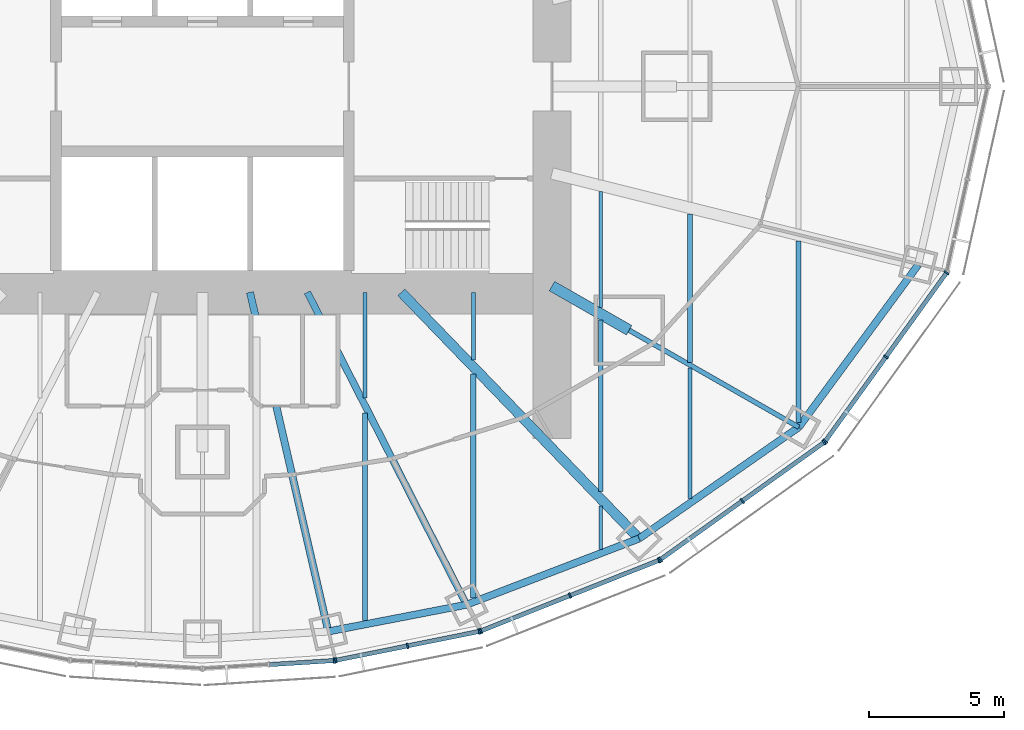
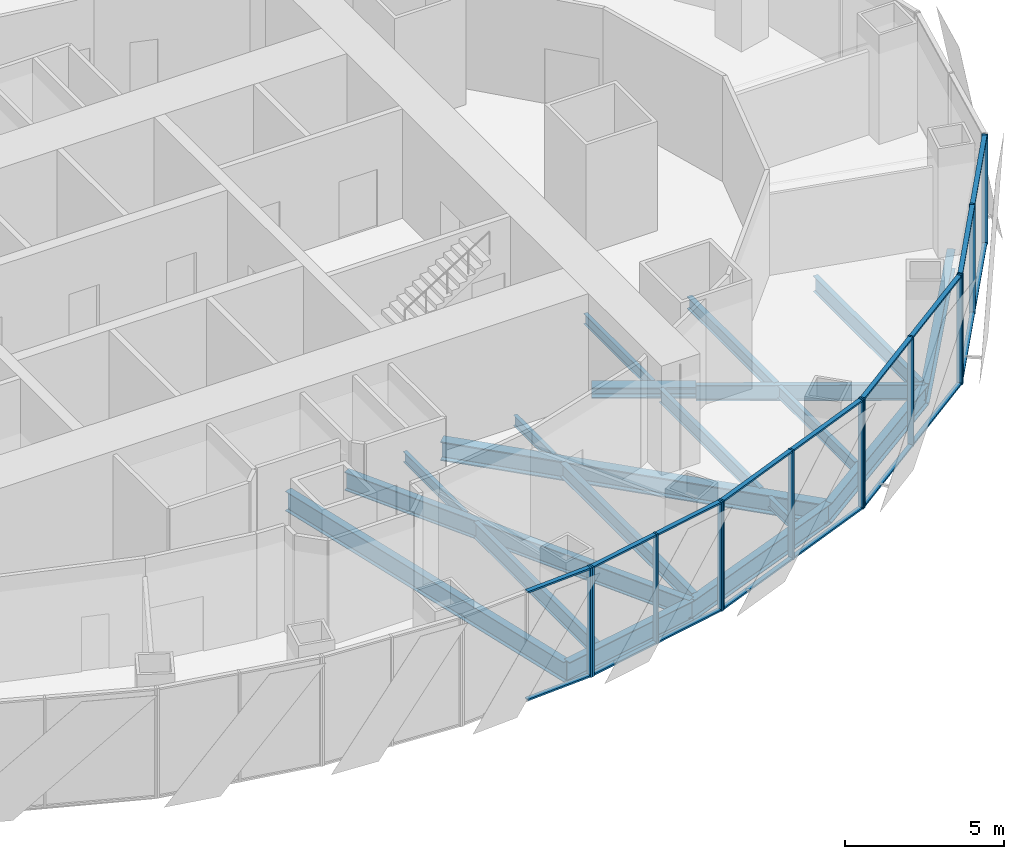
# One storey, part 5 of 18: 31 members, 19 beams, 5 elements without a shape of their own.
"""IFC4 building model written with IfcOpenShell, lengths in metres."""

from ifc_helpers import new_model, si_unit, direction, frame, origin, origin_2d, place, context, subcontext, project, spatial, rectangle, i_section, extrude, material, material_profile, profile_set, type_object, element, aggregate, save


model = new_model("IFC4")

# Units and contexts
model_context = context("Model", 3, precision=1e-05, world=origin(), true_north=direction((0.0, 1.0)))
body_context = subcontext(model_context, "Body", "Model", "MODEL_VIEW")
ifc_project = project(units=[si_unit("LENGTHUNIT", "METRE"), si_unit("AREAUNIT", "SQUARE_METRE"), si_unit("VOLUMEUNIT", "CUBIC_METRE"), si_unit("PLANEANGLEUNIT", "RADIAN"), si_unit("MASSUNIT", "GRAM", prefix="KILO")], contexts=[model_context])

# Site, building, storey
site_placement = place(None, origin())
site = spatial("IfcSite", under=ifc_project, at=site_placement, CompositionType="ELEMENT")
building_placement = place(site_placement, origin())
building = spatial("IfcBuilding", under=site, at=building_placement, Name="Lantaw Convention Tower", CompositionType="ELEMENT")
storey_placement = place(building_placement, frame((0.0, 0.0, 167.800048828125)))
storey = spatial("IfcBuildingStorey", under=building, at=storey_placement, Name="L39", CompositionType="ELEMENT", Elevation=167.800048828125)

# Beams
ifc_material_1 = material(Name="Steel ASTM A992", Category="steel")
ifc_material_profile_1 = material_profile(ifc_material_1, i_section(OverallWidth=0.2666015625, OverallDepth=0.76953125, WebThickness=0.015625, FlangeThickness=0.025390625, FilletRadius=0.0126953125, at=origin_2d()), Name="W30X132")
ifc_profile_set_1 = profile_set([ifc_material_profile_1], Name="Steel ASTM A992")
beam_type_1 = type_object("IfcBeamType", Name="Beam E W30X132", PredefinedType="SPANDREL", material=ifc_profile_set_1)
beam_1_placement = place(storey_placement, frame((4.64501953125, -20.1201171875, -0.534912109375), z_axis=(0.981796805654, 0.189934284446, 0.0), x_axis=(-0.189934284446, 0.981796805654, 0.0)))
element("IfcBeam", 1, at=beam_1_placement, inside=storey, type_object=beam_type_1, Name="Edge beam 20", PredefinedType="SPANDREL", context=body_context, shape_type="SweptSolid", body=[
    extrude(i_section(OverallWidth=0.2666015625, OverallDepth=0.76953125, WebThickness=0.015625, FlangeThickness=0.025390625, FilletRadius=0.0126953125, at=origin_2d()), origin(), (0.0, 0.0, 1.0), 5.1982421875),
])
beam_2_placement = place(storey_placement, frame((9.74853515625, -19.1328125, -0.534912109375), z_axis=(0.933691081977, 0.358079549033, 0.0), x_axis=(-0.358079549033, 0.933691081977, 0.0)))
element("IfcBeam", 2, at=beam_2_placement, inside=storey, type_object=beam_type_1, Name="Edge beam 21", PredefinedType="SPANDREL", context=body_context, shape_type="SweptSolid", body=[
    extrude(i_section(OverallWidth=0.2666015625, OverallDepth=0.76953125, WebThickness=0.015625, FlangeThickness=0.025390625, FilletRadius=0.0126953125, at=origin_2d()), origin(), (0.0, 0.0, 1.0), 6.821533203125),
])
beam_3_placement = place(storey_placement, frame((16.11767578125, -16.690185546875, -0.534912109375), z_axis=(0.820310765287, 0.57191804339, 0.0), x_axis=(-0.57191804339, 0.820310765287, 0.0)))
element("IfcBeam", 3, at=beam_3_placement, inside=storey, type_object=beam_type_1, Name="Edge beam 22", PredefinedType="SPANDREL", context=body_context, shape_type="SweptSolid", body=[
    extrude(i_section(OverallWidth=0.2666015625, OverallDepth=0.76953125, WebThickness=0.015625, FlangeThickness=0.025390625, FilletRadius=0.0126953125, at=origin_2d()), origin(), (0.0, 0.0, 1.0), 7.187744140625),
])
beam_4_placement = place(storey_placement, frame((22.013916015625, -12.579345703125, -0.534912109375), z_axis=(0.5923891972, 0.805651934176, 0.0), x_axis=(-0.805651934176, 0.5923891972, 0.0)))
element("IfcBeam", 4, at=beam_4_placement, inside=storey, type_object=beam_type_1, Name="Edge beam 23", PredefinedType="SPANDREL", context=body_context, shape_type="SweptSolid", body=[
    extrude(i_section(OverallWidth=0.2666015625, OverallDepth=0.76953125, WebThickness=0.015625, FlangeThickness=0.025390625, FilletRadius=0.0126953125, at=origin_2d()), origin(), (0.0, 0.0, 1.0), 7.437744140625),
])
ifc_material_profile_2 = material_profile(ifc_material_1, i_section(OverallWidth=0.177978515625, OverallDepth=0.599365234375, WebThickness=0.010009765625, FlangeThickness=0.012939453125, FilletRadius=0.012939453125, at=origin_2d()), Name="W24X55")
ifc_profile_set_2 = profile_set([ifc_material_profile_2], Name="Steel ASTM A992")
beam_type_2 = type_object("IfcBeamType", Name="Beam G W24X55", PredefinedType="BEAM", material=ifc_profile_set_2)
beam_5_placement = place(storey_placement, frame((15.75, -9.0, -0.44970703125), z_axis=(0.868245224608, -0.496135293993, 0.0), x_axis=(0.496135293993, 0.868245224608, 0.0)))
element("IfcBeam", 5, at=beam_5_placement, inside=storey, type_object=beam_type_2, Name="Floor girder on ray 23", PredefinedType="BEAM", context=body_context, shape_type="SweptSolid", body=[
    extrude(i_section(OverallWidth=0.177978515625, OverallDepth=0.599365234375, WebThickness=0.010009765625, FlangeThickness=0.012939453125, FilletRadius=0.012939453125, at=origin_2d()), origin(), (0.0, 0.0, 1.0), 7.21435546875),
])
ifc_material_profile_3 = material_profile(ifc_material_1, i_section(OverallWidth=0.25390625, OverallDepth=0.700927734375, WebThickness=0.015380859375, FlangeThickness=0.02783203125, FilletRadius=0.01513671875, at=origin_2d()), Name="W27X129")
ifc_profile_set_3 = profile_set([ifc_material_profile_3], Name="Steel ASTM A992")
beam_type_3 = type_object("IfcBeamType", Name="Beam G W27X129", PredefinedType="BEAM", material=ifc_profile_set_3)
beam_6_placement = place(storey_placement, frame((3.872314453125, -7.60009765625, -0.50048828125), z_axis=(0.453991051051, -0.891006243281, 0.0), x_axis=(0.891006243281, 0.453991051051, 0.0)))
element("IfcBeam", 6, at=beam_6_placement, inside=storey, type_object=beam_type_3, Name="Floor girder on ray 21", PredefinedType="BEAM", context=body_context, shape_type="SweptSolid", body=[
    extrude(i_section(OverallWidth=0.25390625, OverallDepth=0.700927734375, WebThickness=0.015380859375, FlangeThickness=0.02783203125, FilletRadius=0.01513671875, at=origin_2d()), origin(), (0.0, 0.0, 1.0), 12.943359375),
])
ifc_material_profile_4 = material_profile(ifc_material_1, i_section(OverallWidth=0.360595703125, OverallDepth=0.72900390625, WebThickness=0.023193359375, FlangeThickness=0.041015625, FilletRadius=0.0126953125, at=origin_2d()), Name="W27X235")
ifc_profile_set_4 = profile_set([ifc_material_profile_4], Name="Steel ASTM A992")
beam_type_4 = type_object("IfcBeamType", Name="Beam G W27X235", PredefinedType="BEAM", material=ifc_profile_set_4)
beam_7_placement = place(storey_placement, frame((7.33935546875, -7.60009765625, -0.5146484375), z_axis=(0.694663467407, -0.719334878239, 0.0), x_axis=(0.719334878239, 0.694663467407, 0.0)))
element("IfcBeam", 7, at=beam_7_placement, inside=storey, type_object=beam_type_4, Name="Floor girder on ray 22", PredefinedType="BEAM", context=body_context, shape_type="SweptSolid", body=[
    extrude(i_section(OverallWidth=0.360595703125, OverallDepth=0.72900390625, WebThickness=0.023193359375, FlangeThickness=0.041015625, FilletRadius=0.0126953125, at=origin_2d()), origin(), (0.0, 0.0, 1.0), 12.63671875),
])
ifc_material_profile_5 = material_profile(ifc_material_1, i_section(OverallWidth=0.2666015625, OverallDepth=0.7568359375, WebThickness=0.013916015625, FlangeThickness=0.019287109375, FilletRadius=0.0126953125, at=origin_2d()), Name="W30X108")
ifc_profile_set_5 = profile_set([ifc_material_profile_5], Name="Steel ASTM A992")
beam_type_5 = type_object("IfcBeamType", Name="Beam G W30X108", PredefinedType="BEAM", material=ifc_profile_set_5)
beam_8_placement = place(storey_placement, frame((1.754638671875, -7.60009765625, -0.528564453125), z_axis=(0.224944153104, -0.974371658036, 0.0), x_axis=(0.974371658036, 0.224944153104, 0.0)))
element("IfcBeam", 8, at=beam_8_placement, inside=storey, type_object=beam_type_5, Name="Floor girder on ray 20", PredefinedType="BEAM", context=body_context, shape_type="SweptSolid", body=[
    extrude(i_section(OverallWidth=0.2666015625, OverallDepth=0.7568359375, WebThickness=0.013916015625, FlangeThickness=0.019287109375, FilletRadius=0.0126953125, at=origin_2d()), origin(), (0.0, 0.0, 1.0), 12.849365234375),
])
ifc_material_profile_6 = material_profile(ifc_material_1, i_section(OverallWidth=0.40380859375, OverallDepth=0.406494140625, WebThickness=0.027099609375, FlangeThickness=0.043701171875, FilletRadius=0.01513671875, at=origin_2d()), Name="W14X233")
ifc_profile_set_6 = profile_set([ifc_material_profile_6], Name="Steel ASTM A992")
beam_type_6 = type_object("IfcBeamType", Name="Beam GM W14X233", PredefinedType="BEAM", material=ifc_profile_set_6)
beam_9_placement = place(storey_placement, frame((12.89990234375, -7.371337890625, -0.353271484375), z_axis=(0.868238565244, -0.496146947811, 0.0), x_axis=(0.496146947811, 0.868238565244, 0.0)))
element("IfcBeam", 9, at=beam_9_placement, inside=storey, type_object=beam_type_6, Name="Core link beam on ray 23", PredefinedType="BEAM", context=body_context, shape_type="SweptSolid", body=[
    extrude(i_section(OverallWidth=0.40380859375, OverallDepth=0.406494140625, WebThickness=0.027099609375, FlangeThickness=0.043701171875, FilletRadius=0.01513671875, at=origin_2d()), origin(), (0.0, 0.0, 1.0), 3.28271484375),
])
ifc_material_profile_7 = material_profile(ifc_material_1, i_section(OverallWidth=0.140380859375, OverallDepth=0.40380859375, WebThickness=0.007080078125, FlangeThickness=0.01123046875, FilletRadius=0.01025390625, at=origin_2d()), Name="W16X31")
ifc_profile_set_7 = profile_set([ifc_material_profile_7], Name="Steel ASTM A992")
beam_type_7 = type_object("IfcBeamType", Name="Beam J W16X31", PredefinedType="JOIST", material=ifc_profile_set_7)
beam_10_placement = place(storey_placement, frame((6.0, -11.495849609375, -0.35205078125), z_axis=(0.0, 1.0, 0.0), x_axis=(-1.0, 0.0, 0.0)))
element("IfcBeam", 10, at=beam_10_placement, inside=storey, type_object=beam_type_7, Name="Floor joist", PredefinedType="JOIST", context=body_context, shape_type="SweptSolid", body=[
    extrude(i_section(OverallWidth=0.140380859375, OverallDepth=0.40380859375, WebThickness=0.007080078125, FlangeThickness=0.01123046875, FilletRadius=0.01025390625, at=origin_2d()), origin(), (0.0, 0.0, 1.0), 3.895751953125),
])
beam_11_placement = place(storey_placement, frame((10.0, -10.095703125, -0.35205078125), z_axis=(0.0, 1.0, 0.0), x_axis=(-1.0, 0.0, 0.0)))
element("IfcBeam", 11, at=beam_11_placement, inside=storey, type_object=beam_type_7, Name="Floor joist", PredefinedType="JOIST", context=body_context, shape_type="SweptSolid", body=[
    extrude(i_section(OverallWidth=0.140380859375, OverallDepth=0.40380859375, WebThickness=0.007080078125, FlangeThickness=0.01123046875, FilletRadius=0.01025390625, at=origin_2d()), origin(), (0.0, 0.0, 1.0), 2.49560546875),
])
beam_12_placement = place(storey_placement, frame((14.699951171875, -17.091064453125, -0.35205078125), z_axis=(0.0, 1.0, 0.0), x_axis=(-1.0, 0.0, 0.0)))
element("IfcBeam", 12, at=beam_12_placement, inside=storey, type_object=beam_type_7, Name="Floor joist", PredefinedType="JOIST", context=body_context, shape_type="SweptSolid", body=[
    extrude(i_section(OverallWidth=0.140380859375, OverallDepth=0.40380859375, WebThickness=0.007080078125, FlangeThickness=0.01123046875, FilletRadius=0.01025390625, at=origin_2d()), origin(), (0.0, 0.0, 1.0), 1.609130859375),
])
beam_13_placement = place(storey_placement, frame((14.699951171875, -8.16748046875, -0.35205078125), z_axis=(0.0, 1.0, 0.0), x_axis=(-1.0, 0.0, 0.0)))
element("IfcBeam", 13, at=beam_13_placement, inside=storey, type_object=beam_type_7, Name="Floor joist", PredefinedType="JOIST", context=body_context, shape_type="SweptSolid", body=[
    extrude(i_section(OverallWidth=0.140380859375, OverallDepth=0.40380859375, WebThickness=0.007080078125, FlangeThickness=0.01123046875, FilletRadius=0.01025390625, at=origin_2d()), origin(), (0.0, 0.0, 1.0), 4.28515625),
])
ifc_material_profile_8 = material_profile(ifc_material_1, i_section(OverallWidth=0.15234375, OverallDepth=0.449462890625, WebThickness=0.007568359375, FlangeThickness=0.0107421875, FilletRadius=0.01025390625, at=origin_2d()), Name="W18X35")
ifc_profile_set_8 = profile_set([ifc_material_profile_8], Name="Steel ASTM A992")
beam_type_8 = type_object("IfcBeamType", Name="Beam J W18X35", PredefinedType="JOIST", material=ifc_profile_set_8)
beam_14_placement = place(storey_placement, frame((18.0, -15.21533203125, -0.374755859375), z_axis=(0.0, 1.0, 0.0), x_axis=(-1.0, 0.0, 0.0)))
element("IfcBeam", 14, at=beam_14_placement, inside=storey, type_object=beam_type_8, Name="Floor joist", PredefinedType="JOIST", context=body_context, shape_type="SweptSolid", body=[
    extrude(i_section(OverallWidth=0.15234375, OverallDepth=0.449462890625, WebThickness=0.007568359375, FlangeThickness=0.0107421875, FilletRadius=0.01025390625, at=origin_2d()), origin(), (0.0, 0.0, 1.0), 4.8271484375),
])
ifc_material_profile_9 = material_profile(ifc_material_1, i_section(OverallWidth=0.1904296875, OverallDepth=0.457275390625, WebThickness=0.009033203125, FlangeThickness=0.014404296875, FilletRadius=0.01025390625, at=origin_2d()), Name="W18X50")
ifc_profile_set_9 = profile_set([ifc_material_profile_9], Name="Steel ASTM A992")
beam_type_9 = type_object("IfcBeamType", Name="Beam J W18X50", PredefinedType="JOIST", material=ifc_profile_set_9)
beam_15_placement = place(storey_placement, frame((18.0, -10.18310546875, -0.378662109375), z_axis=(0.0, 1.0, 0.0), x_axis=(-1.0, 0.0, 0.0)))
element("IfcBeam", 15, at=beam_15_placement, inside=storey, type_object=beam_type_9, Name="Floor joist", PredefinedType="JOIST", context=body_context, shape_type="SweptSolid", body=[
    extrude(i_section(OverallWidth=0.1904296875, OverallDepth=0.457275390625, WebThickness=0.009033203125, FlangeThickness=0.014404296875, FilletRadius=0.01025390625, at=origin_2d()), origin(), (0.0, 0.0, 1.0), 5.47802734375),
])
ifc_material_profile_10 = material_profile(ifc_material_1, i_section(OverallWidth=0.1650390625, OverallDepth=0.52587890625, WebThickness=0.0087890625, FlangeThickness=0.011474609375, FilletRadius=0.0126953125, at=origin_2d()), Name="W21X44")
ifc_profile_set_10 = profile_set([ifc_material_profile_10], Name="Steel ASTM A992")
beam_type_10 = type_object("IfcBeamType", Name="Beam J W21X44", PredefinedType="JOIST", material=ifc_profile_set_10)
beam_16_placement = place(storey_placement, frame((14.699951171875, -14.962646484375, -0.412841796875), z_axis=(0.0, 1.0, 0.0), x_axis=(-1.0, 0.0, 0.0)))
element("IfcBeam", 16, at=beam_16_placement, inside=storey, type_object=beam_type_10, Name="Floor joist", PredefinedType="JOIST", context=body_context, shape_type="SweptSolid", body=[
    extrude(i_section(OverallWidth=0.1650390625, OverallDepth=0.52587890625, WebThickness=0.0087890625, FlangeThickness=0.011474609375, FilletRadius=0.0126953125, at=origin_2d()), origin(), (0.0, 0.0, 1.0), 6.330078125),
])
ifc_material_profile_11 = material_profile(ifc_material_1, i_section(OverallWidth=0.2099609375, OverallDepth=0.535888671875, WebThickness=0.010986328125, FlangeThickness=0.017333984375, FilletRadius=0.012939453125, at=origin_2d()), Name="W21X68")
ifc_profile_set_11 = profile_set([ifc_material_profile_11], Name="Steel ASTM A992")
beam_type_11 = type_object("IfcBeamType", Name="Beam J W21X68", PredefinedType="JOIST", material=ifc_profile_set_11)
beam_17_placement = place(storey_placement, frame((10.0, -18.8935546875, -0.41796875), z_axis=(0.0, 1.0, 0.0), x_axis=(-1.0, 0.0, 0.0)))
element("IfcBeam", 17, at=beam_17_placement, inside=storey, type_object=beam_type_11, Name="Floor joist", PredefinedType="JOIST", context=body_context, shape_type="SweptSolid", body=[
    extrude(i_section(OverallWidth=0.2099609375, OverallDepth=0.535888671875, WebThickness=0.010986328125, FlangeThickness=0.017333984375, FilletRadius=0.012939453125, at=origin_2d()), origin(), (0.0, 0.0, 1.0), 8.278564453125),
])
ifc_material_profile_12 = material_profile(ifc_material_1, i_section(OverallWidth=0.177978515625, OverallDepth=0.599365234375, WebThickness=0.010009765625, FlangeThickness=0.012939453125, FilletRadius=0.012939453125, at=origin_2d()), Name="W24X55")
ifc_profile_set_12 = profile_set([ifc_material_profile_12], Name="Steel ASTM A992")
beam_type_12 = type_object("IfcBeamType", Name="Beam J W24X55", PredefinedType="JOIST", material=ifc_profile_set_12)
beam_18_placement = place(storey_placement, frame((6.0, -19.72216796875, -0.44970703125), z_axis=(0.0, 1.0, 0.0), x_axis=(-1.0, 0.0, 0.0)))
element("IfcBeam", 18, at=beam_18_placement, inside=storey, type_object=beam_type_12, Name="Floor joist", PredefinedType="JOIST", context=body_context, shape_type="SweptSolid", body=[
    extrude(i_section(OverallWidth=0.177978515625, OverallDepth=0.599365234375, WebThickness=0.010009765625, FlangeThickness=0.012939453125, FilletRadius=0.012939453125, at=origin_2d()), origin(), (0.0, 0.0, 1.0), 7.666748046875),
])
beam_19_placement = place(storey_placement, frame((22.0, -12.408935546875, -0.44970703125), z_axis=(0.0, 1.0, 0.0), x_axis=(-1.0, 0.0, 0.0)))
element("IfcBeam", 19, at=beam_19_placement, inside=storey, type_object=beam_type_12, Name="Floor joist", PredefinedType="JOIST", context=body_context, shape_type="SweptSolid", body=[
    extrude(i_section(OverallWidth=0.177978515625, OverallDepth=0.599365234375, WebThickness=0.010009765625, FlangeThickness=0.012939453125, FilletRadius=0.012939453125, at=origin_2d()), origin(), (0.0, 0.0, 1.0), 6.70654296875),
])

# Curtain wall, member
ifc_material_2 = material(Name="Aluminium framed curtain wall", Category="aluminium")
curtain_wall_type = type_object("IfcCurtainWallType", Name="Office curtain wall low rise, pale aluminium", PredefinedType="USERDEFINED", material=ifc_material_2)
curtain_wall_1_placement = place(storey_placement, origin())
curtain_wall_1 = element("IfcCurtainWall", 20, at=curtain_wall_1_placement, inside=storey, type_object=curtain_wall_type, Name="Office curtain wall low rise, pale aluminium L39", ObjectType="UNITISED CURTAIN WALL", PredefinedType="USERDEFINED")
ifc_material_3 = material(Name="Aluminium 6063-T6", Category="aluminium")
ifc_material_profile_13 = material_profile(ifc_material_3, rectangle(XDim=0.199951171875, YDim=0.06494140625, at=origin_2d()), Name="CW-O1 mullion 65x200")
ifc_profile_set_13 = profile_set([ifc_material_profile_13], Name="Aluminium 6063-T6")
member_type_1 = type_object("IfcMemberType", Name="CW-O1 mullion 65x200", PredefinedType="MULLION", material=ifc_profile_set_13)
member_1_placement = place(storey_placement, frame((4.860107421875, -21.19384765625, -0.150146484375), z_axis=(0.0, 0.0, 1.0), x_axis=(-0.062865059466, 0.998022035978, 0.0)))
member_1 = element("IfcMember", 21, at=member_1_placement, type_object=member_type_1, Name="CW-O1 mullion 3", PredefinedType="MULLION", context=body_context, shape_type="SweptSolid", body=[
    extrude(rectangle(XDim=0.199951171875, YDim=0.06494140625, at=origin_2d()), origin(), (0.0, 0.0, 1.0), 4.2001953125),
])

# Curtain wall, members
curtain_wall_2_placement = place(storey_placement, origin())
curtain_wall_2 = element("IfcCurtainWall", 22, at=curtain_wall_2_placement, inside=storey, type_object=curtain_wall_type, Name="Office curtain wall low rise, pale aluminium L39", ObjectType="UNITISED CURTAIN WALL", PredefinedType="USERDEFINED")
member_2_placement = place(storey_placement, frame((4.92431640625, -21.185302734375, -0.150146484375), z_axis=(0.0, 0.0, 1.0), x_axis=(-0.197506809659, 0.980301514912, 0.0)))
member_2 = element("IfcMember", 23, at=member_2_placement, type_object=member_type_1, Name="CW-O1 mullion 1", PredefinedType="MULLION", context=body_context, shape_type="SweptSolid", body=[
    extrude(rectangle(XDim=0.199951171875, YDim=0.06494140625, at=origin_2d()), origin(), (0.0, 0.0, 1.0), 4.2001953125),
])
member_3_placement = place(storey_placement, frame((7.5703125, -20.65234375, -0.150146484375), z_axis=(0.0, 0.0, 1.0), x_axis=(-0.197506809659, 0.980301514912, 0.0)))
member_3 = element("IfcMember", 24, at=member_3_placement, type_object=member_type_1, Name="CW-O1 mullion 2", PredefinedType="MULLION", context=body_context, shape_type="SweptSolid", body=[
    extrude(rectangle(XDim=0.199951171875, YDim=0.06494140625, at=origin_2d()), origin(), (0.0, 0.0, 1.0), 4.2001953125),
])
member_4_placement = place(storey_placement, frame((10.216064453125, -20.119140625, -0.150146484375), z_axis=(0.0, 0.0, 1.0), x_axis=(-0.197506809659, 0.980301514912, 0.0)))
member_4 = element("IfcMember", 25, at=member_4_placement, type_object=member_type_1, Name="CW-O1 mullion 3", PredefinedType="MULLION", context=body_context, shape_type="SweptSolid", body=[
    extrude(rectangle(XDim=0.199951171875, YDim=0.06494140625, at=origin_2d()), origin(), (0.0, 0.0, 1.0), 4.2001953125),
])

curtain_wall_3_placement = place(storey_placement, origin())
curtain_wall_3 = element("IfcCurtainWall", 26, at=curtain_wall_3_placement, inside=storey, type_object=curtain_wall_type, Name="Office curtain wall low rise, pale aluminium L39", ObjectType="UNITISED CURTAIN WALL", PredefinedType="USERDEFINED")
member_5_placement = place(storey_placement, frame((10.2783203125, -20.100830078125, -0.150146484375), z_axis=(0.0, 0.0, 1.0), x_axis=(-0.368701907483, 0.929547687544, 0.0)))
member_5 = element("IfcMember", 27, at=member_5_placement, type_object=member_type_1, Name="CW-O1 mullion 1", PredefinedType="MULLION", context=body_context, shape_type="SweptSolid", body=[
    extrude(rectangle(XDim=0.199951171875, YDim=0.06494140625, at=origin_2d()), origin(), (0.0, 0.0, 1.0), 4.2001953125),
])
member_6_placement = place(storey_placement, frame((13.56494140625, -18.797119140625, -0.150146484375), z_axis=(0.0, 0.0, 1.0), x_axis=(-0.368701907483, 0.929547687544, 0.0)))
member_6 = element("IfcMember", 28, at=member_6_placement, type_object=member_type_1, Name="CW-O1 mullion 2", PredefinedType="MULLION", context=body_context, shape_type="SweptSolid", body=[
    extrude(rectangle(XDim=0.199951171875, YDim=0.06494140625, at=origin_2d()), origin(), (0.0, 0.0, 1.0), 4.2001953125),
])
member_7_placement = place(storey_placement, frame((16.8515625, -17.49365234375, -0.150146484375), z_axis=(0.0, 0.0, 1.0), x_axis=(-0.368701907483, 0.929547687544, 0.0)))
member_7 = element("IfcMember", 29, at=member_7_placement, type_object=member_type_1, Name="CW-O1 mullion 3", PredefinedType="MULLION", context=body_context, shape_type="SweptSolid", body=[
    extrude(rectangle(XDim=0.199951171875, YDim=0.06494140625, at=origin_2d()), origin(), (0.0, 0.0, 1.0), 4.2001953125),
])

curtain_wall_4_placement = place(storey_placement, origin())
curtain_wall_4 = element("IfcCurtainWall", 30, at=curtain_wall_4_placement, inside=storey, type_object=curtain_wall_type, Name="Office curtain wall low rise, pale aluminium L39", ObjectType="UNITISED CURTAIN WALL", PredefinedType="USERDEFINED")
member_8_placement = place(storey_placement, frame((16.908203125, -17.462646484375, -0.150146484375), z_axis=(0.0, 0.0, 1.0), x_axis=(-0.581972695693, 0.813208325995, 0.0)))
member_8 = element("IfcMember", 31, at=member_8_placement, type_object=member_type_1, Name="CW-O1 mullion 1", PredefinedType="MULLION", context=body_context, shape_type="SweptSolid", body=[
    extrude(rectangle(XDim=0.199951171875, YDim=0.06494140625, at=origin_2d()), origin(), (0.0, 0.0, 1.0), 4.2001953125),
])
member_9_placement = place(storey_placement, frame((19.92529296875, -15.303466796875, -0.150146484375), z_axis=(0.0, 0.0, 1.0), x_axis=(-0.581972695693, 0.813208325995, 0.0)))
member_9 = element("IfcMember", 32, at=member_9_placement, type_object=member_type_1, Name="CW-O1 mullion 2", PredefinedType="MULLION", context=body_context, shape_type="SweptSolid", body=[
    extrude(rectangle(XDim=0.199951171875, YDim=0.06494140625, at=origin_2d()), origin(), (0.0, 0.0, 1.0), 4.2001953125),
])
member_10_placement = place(storey_placement, frame((22.942626953125, -13.14404296875, -0.150146484375), z_axis=(0.0, 0.0, 1.0), x_axis=(-0.581972695693, 0.813208325995, 0.0)))
member_10 = element("IfcMember", 33, at=member_10_placement, type_object=member_type_1, Name="CW-O1 mullion 3", PredefinedType="MULLION", context=body_context, shape_type="SweptSolid", body=[
    extrude(rectangle(XDim=0.199951171875, YDim=0.06494140625, at=origin_2d()), origin(), (0.0, 0.0, 1.0), 4.2001953125),
])

curtain_wall_5_placement = place(storey_placement, origin())
curtain_wall_5 = element("IfcCurtainWall", 34, at=curtain_wall_5_placement, inside=storey, type_object=curtain_wall_type, Name="Office curtain wall low rise, pale aluminium L39", ObjectType="UNITISED CURTAIN WALL", PredefinedType="USERDEFINED")
member_11_placement = place(storey_placement, frame((22.988037109375, -13.098876953125, -0.150146484375), z_axis=(0.0, 0.0, 1.0), x_axis=(-0.811384633629, 0.584512597221, 0.0)))
member_11 = element("IfcMember", 35, at=member_11_placement, type_object=member_type_1, Name="CW-O1 mullion 1", PredefinedType="MULLION", context=body_context, shape_type="SweptSolid", body=[
    extrude(rectangle(XDim=0.199951171875, YDim=0.06494140625, at=origin_2d()), origin(), (0.0, 0.0, 1.0), 4.2001953125),
])
member_12_placement = place(storey_placement, frame((25.22802734375, -9.9892578125, -0.150146484375), z_axis=(0.0, 0.0, 1.0), x_axis=(-0.811384633629, 0.584512597221, 0.0)))
member_12 = element("IfcMember", 36, at=member_12_placement, type_object=member_type_1, Name="CW-O1 mullion 2", PredefinedType="MULLION", context=body_context, shape_type="SweptSolid", body=[
    extrude(rectangle(XDim=0.199951171875, YDim=0.06494140625, at=origin_2d()), origin(), (0.0, 0.0, 1.0), 4.2001953125),
])
member_13_placement = place(storey_placement, frame((27.46826171875, -6.879638671875, -0.150146484375), z_axis=(0.0, 0.0, 1.0), x_axis=(-0.811384633629, 0.584512597221, 0.0)))
member_13 = element("IfcMember", 37, at=member_13_placement, type_object=member_type_1, Name="CW-O1 mullion 3", PredefinedType="MULLION", context=body_context, shape_type="SweptSolid", body=[
    extrude(rectangle(XDim=0.199951171875, YDim=0.06494140625, at=origin_2d()), origin(), (0.0, 0.0, 1.0), 4.2001953125),
])

# Member
ifc_material_profile_14 = material_profile(ifc_material_3, rectangle(XDim=0.159912109375, YDim=0.06494140625, at=origin_2d()), Name="CW-O1 transom 65x160")
ifc_profile_set_14 = profile_set([ifc_material_profile_14], Name="Aluminium 6063-T6")
member_type_2 = type_object("IfcMemberType", Name="CW-O1 transom 65x160", PredefinedType="USERDEFINED", material=ifc_profile_set_14)
member_14_placement = place(storey_placement, frame((2.478759765625, -21.34375, -0.117431640625), z_axis=(0.998022188463, 0.062862638625, 0.0), x_axis=(-0.062862638625, 0.998022188463, 0.0)))
member_14 = element("IfcMember", 38, at=member_14_placement, type_object=member_type_2, Name="CW-O1 transom 2.1", ObjectType="TRANSOM", PredefinedType="USERDEFINED", context=body_context, shape_type="SweptSolid", body=[
    extrude(rectangle(XDim=0.159912109375, YDim=0.06494140625, at=origin_2d()), origin(), (0.0, 0.0, 1.0), 2.353515625),
])

member_15_placement = place(storey_placement, frame((2.478759765625, -21.34375, 4.017333984375), z_axis=(0.998022188463, 0.062862638625, 0.0), x_axis=(-0.062862638625, 0.998022188463, 0.0)))
member_15 = element("IfcMember", 39, at=member_15_placement, type_object=member_type_2, Name="CW-O1 transom 2.2", ObjectType="TRANSOM", PredefinedType="USERDEFINED", context=body_context, shape_type="SweptSolid", body=[
    extrude(rectangle(XDim=0.159912109375, YDim=0.06494140625, at=origin_2d()), origin(), (0.0, 0.0, 1.0), 2.353515625),
])

aggregate(curtain_wall_1, [member_1, member_14, member_15])

member_16_placement = place(storey_placement, frame((4.956298828125, -21.178955078125, -0.117431640625), z_axis=(0.980298027092, 0.197524120247, 0.0), x_axis=(-0.197524120247, 0.980298027092, 0.0)))
member_16 = element("IfcMember", 40, at=member_16_placement, type_object=member_type_2, Name="CW-O1 transom 1.1", ObjectType="TRANSOM", PredefinedType="USERDEFINED", context=body_context, shape_type="SweptSolid", body=[
    extrude(rectangle(XDim=0.159912109375, YDim=0.06494140625, at=origin_2d()), origin(), (0.0, 0.0, 1.0), 2.634033203125),
])

member_17_placement = place(storey_placement, frame((4.956298828125, -21.178955078125, 4.017333984375), z_axis=(0.980298027092, 0.197524120247, 0.0), x_axis=(-0.197524120247, 0.980298027092, 0.0)))
member_17 = element("IfcMember", 41, at=member_17_placement, type_object=member_type_2, Name="CW-O1 transom 1.2", ObjectType="TRANSOM", PredefinedType="USERDEFINED", context=body_context, shape_type="SweptSolid", body=[
    extrude(rectangle(XDim=0.159912109375, YDim=0.06494140625, at=origin_2d()), origin(), (0.0, 0.0, 1.0), 2.634033203125),
])

member_18_placement = place(storey_placement, frame((7.60205078125, -20.64599609375, -0.117431640625), z_axis=(0.980301643003, 0.197506173891, 0.0), x_axis=(-0.197506173891, 0.980301643003, 0.0)))
member_18 = element("IfcMember", 42, at=member_18_placement, type_object=member_type_2, Name="CW-O1 transom 2.1", ObjectType="TRANSOM", PredefinedType="USERDEFINED", context=body_context, shape_type="SweptSolid", body=[
    extrude(rectangle(XDim=0.159912109375, YDim=0.06494140625, at=origin_2d()), origin(), (0.0, 0.0, 1.0), 2.63427734375),
])

member_19_placement = place(storey_placement, frame((7.60205078125, -20.64599609375, 4.017333984375), z_axis=(0.980301643003, 0.197506173891, 0.0), x_axis=(-0.197506173891, 0.980301643003, 0.0)))
member_19 = element("IfcMember", 43, at=member_19_placement, type_object=member_type_2, Name="CW-O1 transom 2.2", ObjectType="TRANSOM", PredefinedType="USERDEFINED", context=body_context, shape_type="SweptSolid", body=[
    extrude(rectangle(XDim=0.159912109375, YDim=0.06494140625, at=origin_2d()), origin(), (0.0, 0.0, 1.0), 2.63427734375),
])

aggregate(curtain_wall_2, [member_2, member_3, member_4, member_16, member_17, member_18, member_19])

member_20_placement = place(storey_placement, frame((10.308349609375, -20.0888671875, -0.117431640625), z_axis=(0.929540081544, 0.368721082668, 0.0), x_axis=(-0.368721082668, 0.929540081544, 0.0)))
member_20 = element("IfcMember", 44, at=member_20_placement, type_object=member_type_2, Name="CW-O1 transom 1.1", ObjectType="TRANSOM", PredefinedType="USERDEFINED", context=body_context, shape_type="SweptSolid", body=[
    extrude(rectangle(XDim=0.159912109375, YDim=0.06494140625, at=origin_2d()), origin(), (0.0, 0.0, 1.0), 3.470947265625),
])

member_21_placement = place(storey_placement, frame((10.308349609375, -20.0888671875, 4.017333984375), z_axis=(0.929540081544, 0.368721082668, 0.0), x_axis=(-0.368721082668, 0.929540081544, 0.0)))
member_21 = element("IfcMember", 45, at=member_21_placement, type_object=member_type_2, Name="CW-O1 transom 1.2", ObjectType="TRANSOM", PredefinedType="USERDEFINED", context=body_context, shape_type="SweptSolid", body=[
    extrude(rectangle(XDim=0.159912109375, YDim=0.06494140625, at=origin_2d()), origin(), (0.0, 0.0, 1.0), 3.470947265625),
])

member_22_placement = place(storey_placement, frame((13.594970703125, -18.78515625, -0.117431640625), z_axis=(0.929564188507, 0.368660303592, 0.0), x_axis=(-0.368660303592, 0.929564188507, 0.0)))
member_22 = element("IfcMember", 46, at=member_22_placement, type_object=member_type_2, Name="CW-O1 transom 2.1", ObjectType="TRANSOM", PredefinedType="USERDEFINED", context=body_context, shape_type="SweptSolid", body=[
    extrude(rectangle(XDim=0.159912109375, YDim=0.06494140625, at=origin_2d()), origin(), (0.0, 0.0, 1.0), 3.470703125),
])

member_23_placement = place(storey_placement, frame((13.594970703125, -18.78515625, 4.017333984375), z_axis=(0.929564188507, 0.368660303592, 0.0), x_axis=(-0.368660303592, 0.929564188507, 0.0)))
member_23 = element("IfcMember", 47, at=member_23_placement, type_object=member_type_2, Name="CW-O1 transom 2.2", ObjectType="TRANSOM", PredefinedType="USERDEFINED", context=body_context, shape_type="SweptSolid", body=[
    extrude(rectangle(XDim=0.159912109375, YDim=0.06494140625, at=origin_2d()), origin(), (0.0, 0.0, 1.0), 3.470703125),
])

aggregate(curtain_wall_3, [member_5, member_6, member_7, member_20, member_21, member_22, member_23])

member_24_placement = place(storey_placement, frame((16.9345703125, -17.44384765625, -0.117431640625), z_axis=(0.813190089133, 0.581998177777, 0.0), x_axis=(-0.581998177777, 0.813190089133, 0.0)))
member_24 = element("IfcMember", 48, at=member_24_placement, type_object=member_type_2, Name="CW-O1 transom 1.1", ObjectType="TRANSOM", PredefinedType="USERDEFINED", context=body_context, shape_type="SweptSolid", body=[
    extrude(rectangle(XDim=0.159912109375, YDim=0.06494140625, at=origin_2d()), origin(), (0.0, 0.0, 1.0), 3.645263671875),
])

member_25_placement = place(storey_placement, frame((16.9345703125, -17.44384765625, 4.017333984375), z_axis=(0.813190089133, 0.581998177777, 0.0), x_axis=(-0.581998177777, 0.813190089133, 0.0)))
member_25 = element("IfcMember", 49, at=member_25_placement, type_object=member_type_2, Name="CW-O1 transom 1.2", ObjectType="TRANSOM", PredefinedType="USERDEFINED", context=body_context, shape_type="SweptSolid", body=[
    extrude(rectangle(XDim=0.159912109375, YDim=0.06494140625, at=origin_2d()), origin(), (0.0, 0.0, 1.0), 3.645263671875),
])

member_26_placement = place(storey_placement, frame((19.951904296875, -15.284423828125, -0.117431640625), z_axis=(0.813221785972, 0.581953887194, 0.0), x_axis=(-0.581953887194, 0.813221785972, 0.0)))
member_26 = element("IfcMember", 50, at=member_26_placement, type_object=member_type_2, Name="CW-O1 transom 2.1", ObjectType="TRANSOM", PredefinedType="USERDEFINED", context=body_context, shape_type="SweptSolid", body=[
    extrude(rectangle(XDim=0.159912109375, YDim=0.06494140625, at=origin_2d()), origin(), (0.0, 0.0, 1.0), 3.645263671875),
])

member_27_placement = place(storey_placement, frame((19.951904296875, -15.284423828125, 4.017333984375), z_axis=(0.813221785972, 0.581953887194, 0.0), x_axis=(-0.581953887194, 0.813221785972, 0.0)))
member_27 = element("IfcMember", 51, at=member_27_placement, type_object=member_type_2, Name="CW-O1 transom 2.2", ObjectType="TRANSOM", PredefinedType="USERDEFINED", context=body_context, shape_type="SweptSolid", body=[
    extrude(rectangle(XDim=0.159912109375, YDim=0.06494140625, at=origin_2d()), origin(), (0.0, 0.0, 1.0), 3.645263671875),
])

aggregate(curtain_wall_4, [member_8, member_9, member_10, member_24, member_25, member_26, member_27])

member_28_placement = place(storey_placement, frame((23.007080078125, -13.072509765625, -0.117431640625), z_axis=(0.584512973979, 0.811384362217, 0.0), x_axis=(-0.811384362217, 0.584512973979, 0.0)))
member_28 = element("IfcMember", 52, at=member_28_placement, type_object=member_type_2, Name="CW-O1 transom 1.1", ObjectType="TRANSOM", PredefinedType="USERDEFINED", context=body_context, shape_type="SweptSolid", body=[
    extrude(rectangle(XDim=0.159912109375, YDim=0.06494140625, at=origin_2d()), origin(), (0.0, 0.0, 1.0), 3.767578125),
])

member_29_placement = place(storey_placement, frame((23.007080078125, -13.072509765625, 4.017333984375), z_axis=(0.584512973979, 0.811384362217, 0.0), x_axis=(-0.811384362217, 0.584512973979, 0.0)))
member_29 = element("IfcMember", 53, at=member_29_placement, type_object=member_type_2, Name="CW-O1 transom 1.2", ObjectType="TRANSOM", PredefinedType="USERDEFINED", context=body_context, shape_type="SweptSolid", body=[
    extrude(rectangle(XDim=0.159912109375, YDim=0.06494140625, at=origin_2d()), origin(), (0.0, 0.0, 1.0), 3.767578125),
])

member_30_placement = place(storey_placement, frame((25.2470703125, -9.962890625, -0.117431640625), z_axis=(0.584512973979, 0.811384362217, 0.0), x_axis=(-0.811384362217, 0.584512973979, 0.0)))
member_30 = element("IfcMember", 54, at=member_30_placement, type_object=member_type_2, Name="CW-O1 transom 2.1", ObjectType="TRANSOM", PredefinedType="USERDEFINED", context=body_context, shape_type="SweptSolid", body=[
    extrude(rectangle(XDim=0.159912109375, YDim=0.06494140625, at=origin_2d()), origin(), (0.0, 0.0, 1.0), 3.767578125),
])

member_31_placement = place(storey_placement, frame((25.2470703125, -9.962890625, 4.017333984375), z_axis=(0.584512973979, 0.811384362217, 0.0), x_axis=(-0.811384362217, 0.584512973979, 0.0)))
member_31 = element("IfcMember", 55, at=member_31_placement, type_object=member_type_2, Name="CW-O1 transom 2.2", ObjectType="TRANSOM", PredefinedType="USERDEFINED", context=body_context, shape_type="SweptSolid", body=[
    extrude(rectangle(XDim=0.159912109375, YDim=0.06494140625, at=origin_2d()), origin(), (0.0, 0.0, 1.0), 3.767578125),
])

aggregate(curtain_wall_5, [member_11, member_12, member_13, member_28, member_29, member_30, member_31])

save(model, "model.ifc")
